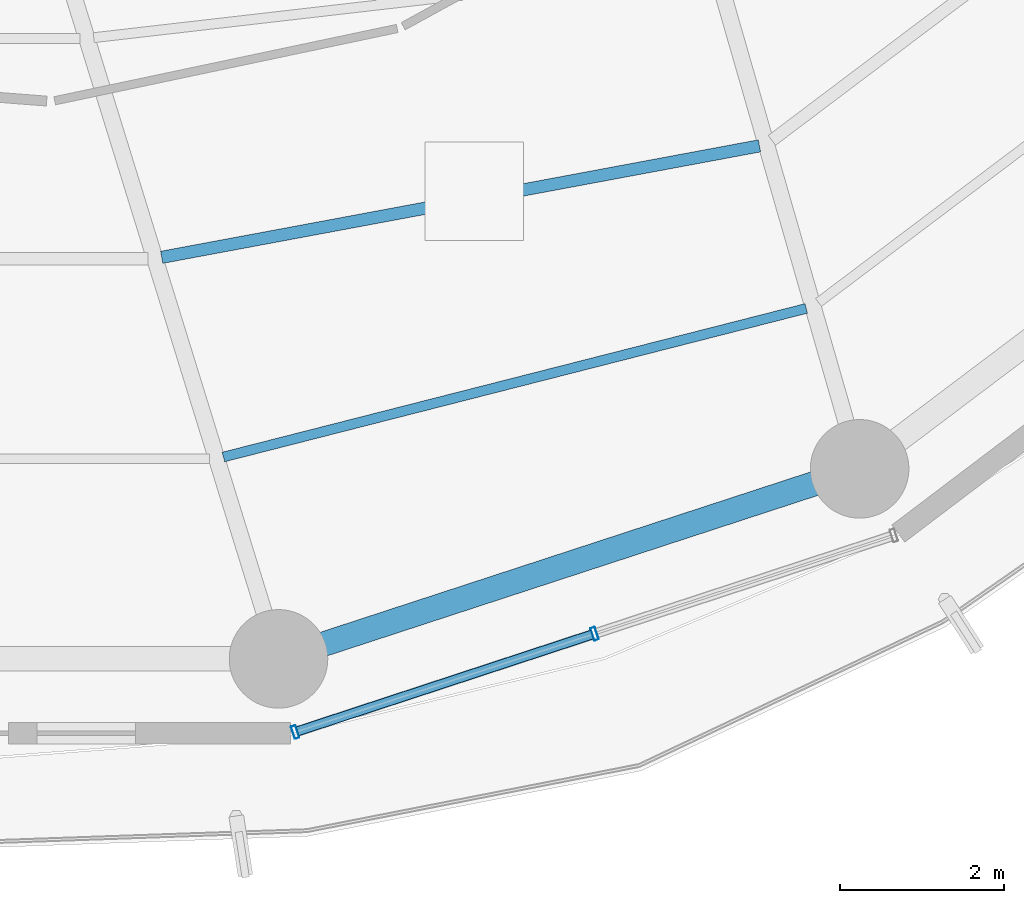
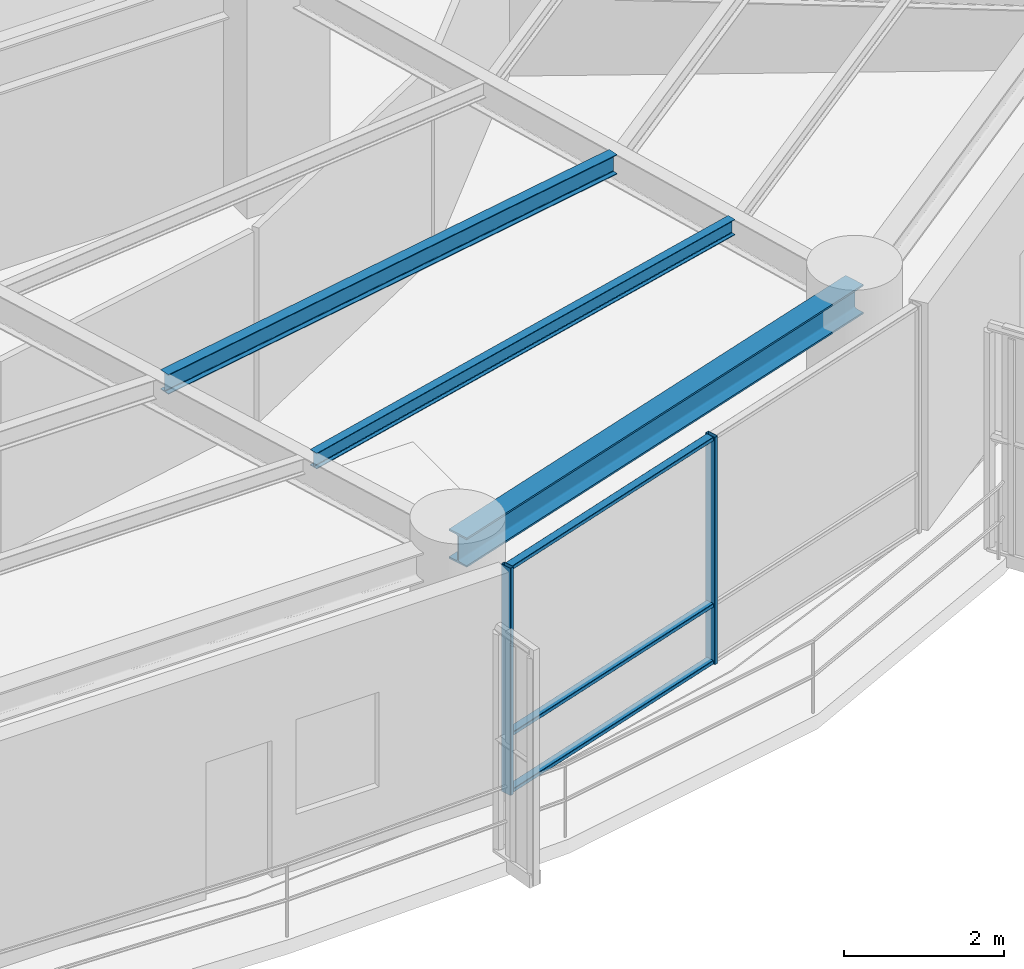
# One storey, part 4 of 27: 5 members, 3 beams, 1 element without a shape of its own.
"""IFC4 building model written with IfcOpenShell, lengths in metres."""

from ifc_helpers import new_model, si_unit, direction, frame, origin, origin_2d, place, context, subcontext, project, spatial, hollow_rectangle, i_section, extrude, material, layer, layer_set, material_profile, profile_set, type_object, element, aggregate, save


model = new_model("IFC4")

# Units and contexts
model_context = context("Model", 3, precision=1e-05, world=origin(), true_north=direction((0.0, 1.0)))
body_context = subcontext(model_context, "Body", "Model", "MODEL_VIEW")
ifc_project = project(units=[si_unit("LENGTHUNIT", "METRE"), si_unit("AREAUNIT", "SQUARE_METRE"), si_unit("VOLUMEUNIT", "CUBIC_METRE"), si_unit("PLANEANGLEUNIT", "RADIAN"), si_unit("MASSUNIT", "GRAM", prefix="KILO")], contexts=[model_context])

# Site, building, storey
site_placement = place(None, origin())
site = spatial("IfcSite", under=ifc_project, at=site_placement, CompositionType="ELEMENT")
building_placement = place(site_placement, origin())
building = spatial("IfcBuilding", under=site, at=building_placement, Name="Kelanora Arch Commons", CompositionType="ELEMENT")
storey_placement = place(building_placement, frame((0.0, 0.0, 143.10009765625)))
storey = spatial("IfcBuildingStorey", under=building, at=storey_placement, Name="L36", CompositionType="ELEMENT", Elevation=143.10009765625)

# Beams
ifc_material_1 = material(Name="Steel S355", Category="steel")
ifc_material_profile_1 = material_profile(ifc_material_1, i_section(OverallWidth=0.14990234375, OverallDepth=0.300048828125, WebThickness=0.007080078125, FlangeThickness=0.0107421875, FilletRadius=0.014892578125, at=origin_2d()), Name="IPE300")
ifc_profile_set_1 = profile_set([ifc_material_profile_1], Name="Steel S355")
beam_type_1 = type_object("IfcBeamType", Name="BM-JST-01", PredefinedType="JOIST", material=ifc_profile_set_1)
beam_1_placement = place(storey_placement, frame((76.34228515625, 43.705078125, 3.33984375), z_axis=(0.983054256126, 0.183314837134, 0.0), x_axis=(-0.183314837134, 0.983054256126, 0.0)))
element("IfcBeam", 1, at=beam_1_placement, inside=storey, type_object=beam_type_1, Name="Secondary Chord Joist BJB-28 L36", PredefinedType="JOIST", context=body_context, shape_type="SweptSolid", body=[
    extrude(i_section(OverallWidth=0.14990234375, OverallDepth=0.300048828125, WebThickness=0.007080078125, FlangeThickness=0.0107421875, FilletRadius=0.014892578125, at=origin_2d()), origin(), (0.0, 0.0, 1.0), 7.403564453125),
])
ifc_material_profile_2 = material_profile(ifc_material_1, i_section(OverallWidth=0.1201171875, OverallDepth=0.239990234375, WebThickness=0.006103515625, FlangeThickness=0.009765625, FilletRadius=0.014892578125, at=origin_2d()), Name="IPE240")
ifc_profile_set_2 = profile_set([ifc_material_profile_2], Name="Steel S355")
beam_type_2 = type_object("IfcBeamType", Name="BM-JST-02", PredefinedType="JOIST", material=ifc_profile_set_2)
beam_2_placement = place(storey_placement, frame((77.093994140625, 41.273681640625, 3.369873046875), z_axis=(0.96900232943, 0.247051584815, 0.0), x_axis=(-0.247051584815, 0.96900232943, 0.0)))
element("IfcBeam", 2, at=beam_2_placement, inside=storey, type_object=beam_type_2, Name="Secondary Chord Joist BJC-28 L36", PredefinedType="JOIST", context=body_context, shape_type="SweptSolid", body=[
    extrude(i_section(OverallWidth=0.1201171875, OverallDepth=0.239990234375, WebThickness=0.006103515625, FlangeThickness=0.009765625, FilletRadius=0.014892578125, at=origin_2d()), origin(), (0.0, 0.0, 1.0), 7.32275390625),
])
ifc_material_profile_3 = material_profile(ifc_material_1, i_section(OverallWidth=0.300048828125, OverallDepth=0.449951171875, WebThickness=0.013916015625, FlangeThickness=0.02587890625, FilletRadius=0.027099609375, at=origin_2d()), Name="HEB450")
ifc_profile_set_3 = profile_set([ifc_material_profile_3], Name="Steel S355")
beam_type_3 = type_object("IfcBeamType", Name="BM-SPN-Z3", PredefinedType="SPANDREL", material=ifc_profile_set_3)
beam_3_placement = place(storey_placement, frame((77.7646484375, 38.81591796875, 3.264892578125), z_axis=(0.950461975786, 0.310840847676, 0.0), x_axis=(-0.310840847676, 0.950461975786, 0.0)))
element("IfcBeam", 3, at=beam_3_placement, inside=storey, type_object=beam_type_3, Name="Perimeter Spandrel Beam BS-28 L36", PredefinedType="SPANDREL", context=body_context, shape_type="SweptSolid", body=[
    extrude(i_section(OverallWidth=0.300048828125, OverallDepth=0.449951171875, WebThickness=0.013916015625, FlangeThickness=0.02587890625, FilletRadius=0.027099609375, at=origin_2d()), origin(), (0.0, 0.0, 1.0), 7.444091796875),
])

# Curtain wall, members
ifc_material_2 = material(Name="Terracotta ceramic-fritted low-E glass and aluminium", Category="masonry")
ifc_layer = layer(ifc_material_2, 0.175048828125)
ifc_layer_set = layer_set([ifc_layer], Name="Terracotta ceramic-fritted low-E glass and aluminium")
curtain_wall_type = type_object("IfcCurtainWallType", Name="CW-SYS-02", PredefinedType="NOTDEFINED", material=ifc_layer_set)
curtain_wall_placement = place(storey_placement, origin())
curtain_wall = element("IfcCurtainWall", 4, at=curtain_wall_placement, inside=storey, type_object=curtain_wall_type, Name="Unitised Curtain Wall L36-B14", PredefinedType="NOTDEFINED")
ifc_material_3 = material(Name="Powder-coated aluminium terracotta", Category="masonry")
ifc_material_profile_4 = material_profile(ifc_material_3, hollow_rectangle(XDim=0.159912109375, YDim=0.06005859375, WallThickness=0.0048828125, InnerFilletRadius=0.0048828125, OuterFilletRadius=0.010009765625, at=origin_2d()), Name="CWM160x60")
ifc_profile_set_4 = profile_set([ifc_material_profile_4], Name="Powder-coated aluminium terracotta")
member_type_1 = type_object("IfcMemberType", Name="CWM-STD", PredefinedType="MULLION", material=ifc_profile_set_4)
member_1_placement = place(storey_placement, frame((77.96728515625, 37.924072265625, 0.0), z_axis=(0.0, 0.0, 1.0), x_axis=(-0.312128279571, 0.95003996605, 0.0)))
member_1 = element("IfcMember", 5, at=member_1_placement, type_object=member_type_1, Name="CW-02 mullion 1", PredefinedType="MULLION", context=body_context, shape_type="SweptSolid", body=[
    extrude(hollow_rectangle(XDim=0.159912109375, YDim=0.06005859375, WallThickness=0.0048828125, InnerFilletRadius=0.0048828125, OuterFilletRadius=0.010009765625, at=origin_2d()), origin(), (0.0, 0.0, 1.0), 3.474853515625),
])
member_2_placement = place(storey_placement, frame((81.6123046875, 39.12158203125, 0.0), z_axis=(0.0, 0.0, 1.0), x_axis=(-0.312128279571, 0.95003996605, 0.0)))
member_2 = element("IfcMember", 6, at=member_2_placement, type_object=member_type_1, Name="CW-02 mullion 2", PredefinedType="MULLION", context=body_context, shape_type="SweptSolid", body=[
    extrude(hollow_rectangle(XDim=0.159912109375, YDim=0.06005859375, WallThickness=0.0048828125, InnerFilletRadius=0.0048828125, OuterFilletRadius=0.010009765625, at=origin_2d()), origin(), (0.0, 0.0, 1.0), 3.474853515625),
])
ifc_material_profile_5 = material_profile(ifc_material_3, hollow_rectangle(XDim=0.1201171875, YDim=0.06005859375, WallThickness=0.0048828125, InnerFilletRadius=0.0048828125, OuterFilletRadius=0.010009765625, at=origin_2d()), Name="CWT120x60")
ifc_profile_set_5 = profile_set([ifc_material_profile_5], Name="Powder-coated aluminium terracotta")
member_type_2 = type_object("IfcMemberType", Name="CWT-STD", PredefinedType="USERDEFINED", material=ifc_profile_set_5)
member_3_placement = place(storey_placement, frame((77.99560546875, 37.933349609375, 0.02978515625), z_axis=(0.950051191155, 0.312094111104, 0.0), x_axis=(-0.312094111104, 0.950051191155, 0.0)))
member_3 = element("IfcMember", 7, at=member_3_placement, type_object=member_type_2, Name="CW-02 transom 1.1", ObjectType="TRANSOM", PredefinedType="USERDEFINED", context=body_context, shape_type="SweptSolid", body=[
    extrude(hollow_rectangle(XDim=0.1201171875, YDim=0.06005859375, WallThickness=0.0048828125, InnerFilletRadius=0.0048828125, OuterFilletRadius=0.010009765625, at=origin_2d()), origin(), (0.0, 0.0, 1.0), 3.77685546875),
])
member_4_placement = place(storey_placement, frame((77.99560546875, 37.933349609375, 0.89990234375), z_axis=(0.950051191155, 0.312094111104, 0.0), x_axis=(-0.312094111104, 0.950051191155, 0.0)))
member_4 = element("IfcMember", 8, at=member_4_placement, type_object=member_type_2, Name="CW-02 transom 1.2", ObjectType="TRANSOM", PredefinedType="USERDEFINED", context=body_context, shape_type="SweptSolid", body=[
    extrude(hollow_rectangle(XDim=0.1201171875, YDim=0.06005859375, WallThickness=0.0048828125, InnerFilletRadius=0.0048828125, OuterFilletRadius=0.010009765625, at=origin_2d()), origin(), (0.0, 0.0, 1.0), 3.77685546875),
])
member_5_placement = place(storey_placement, frame((77.99560546875, 37.933349609375, 3.44482421875), z_axis=(0.950051191155, 0.312094111104, 0.0), x_axis=(-0.312094111104, 0.950051191155, 0.0)))
member_5 = element("IfcMember", 9, at=member_5_placement, type_object=member_type_2, Name="CW-02 transom 1.3", ObjectType="TRANSOM", PredefinedType="USERDEFINED", context=body_context, shape_type="SweptSolid", body=[
    extrude(hollow_rectangle(XDim=0.1201171875, YDim=0.06005859375, WallThickness=0.0048828125, InnerFilletRadius=0.0048828125, OuterFilletRadius=0.010009765625, at=origin_2d()), origin(), (0.0, 0.0, 1.0), 3.77685546875),
])
aggregate(curtain_wall, [member_1, member_2, member_3, member_4, member_5])

save(model, "model.ifc")
